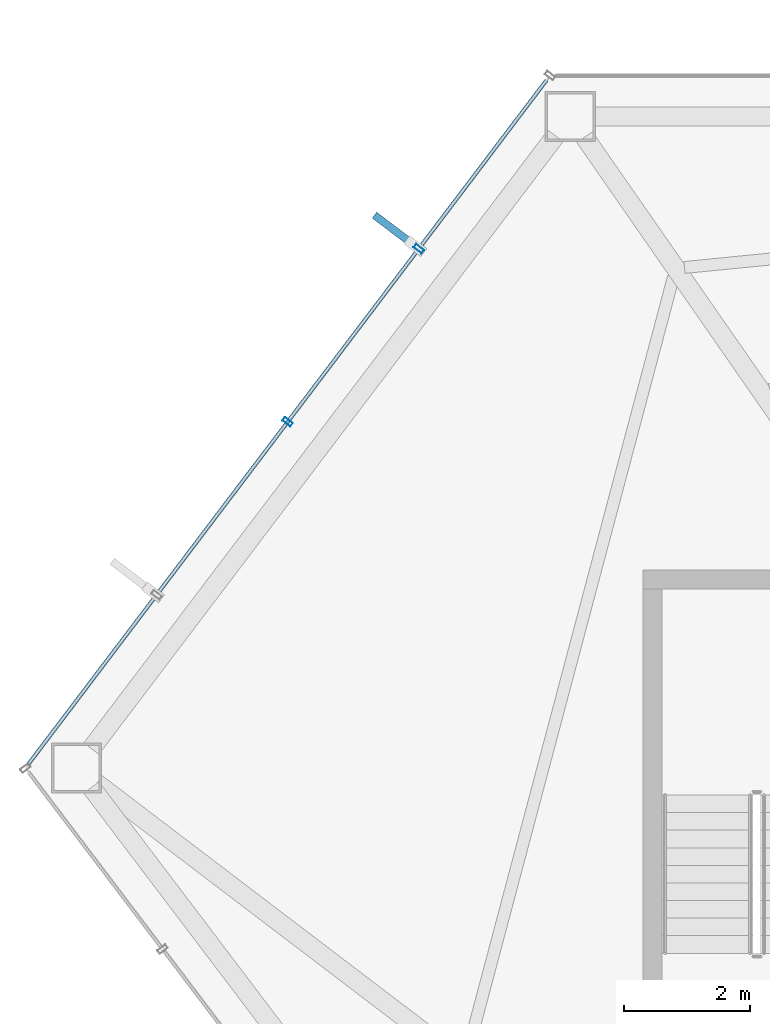
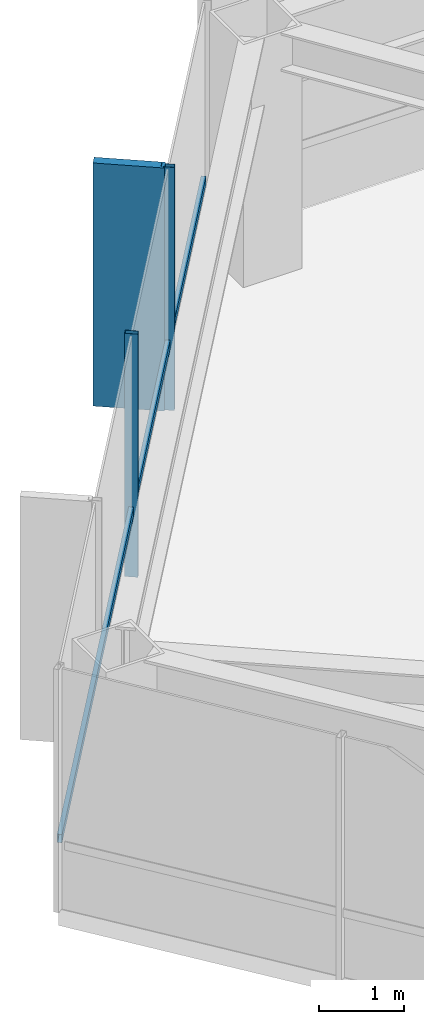
# One storey, part 11 of 28: 4 members, 1 element without a shape of its own.
"""IFC4 building model written with IfcOpenShell, lengths in metres."""

from ifc_helpers import new_model, si_unit, direction, frame, origin, origin_2d, place, context, subcontext, project, spatial, rectangle, hollow_rectangle, extrude, material, layer, layer_set, material_profile, profile_set, type_object, element, aggregate, save


model = new_model("IFC4")

# Units and contexts
model_context = context("Model", 3, precision=1e-05, world=origin(), true_north=direction((0.0, 1.0)))
body_context = subcontext(model_context, "Body", "Model", "MODEL_VIEW")
ifc_project = project(units=[si_unit("LENGTHUNIT", "METRE"), si_unit("AREAUNIT", "SQUARE_METRE"), si_unit("VOLUMEUNIT", "CUBIC_METRE"), si_unit("PLANEANGLEUNIT", "RADIAN"), si_unit("MASSUNIT", "GRAM", prefix="KILO")], contexts=[model_context])

# Site, building, storey
site_placement = place(None, origin())
site = spatial("IfcSite", under=ifc_project, at=site_placement, CompositionType="ELEMENT")
building_placement = place(site_placement, origin())
building = spatial("IfcBuilding", under=site, at=building_placement, Name="Zarrinselat Tower", CompositionType="ELEMENT")
storey_placement = place(building_placement, frame((0.0, 0.0, 157.080078125)))
storey = spatial("IfcBuildingStorey", under=building, at=storey_placement, Name="L38", CompositionType="ELEMENT", Elevation=157.080078125)

# Curtain wall, members
ifc_material_1 = material(Name="Extruded Aluminium Alloy EN AW-6063 T6", Category="aluminium")
ifc_layer = layer(ifc_material_1, 0.175048828125)
ifc_layer_set = layer_set([ifc_layer], Name="Extruded Aluminium Alloy EN AW-6063 T6")
curtain_wall_type = type_object("IfcCurtainWallType", Name="CWS-HTL", PredefinedType="NOTDEFINED", material=ifc_layer_set)
curtain_wall_placement = place(storey_placement, origin())
curtain_wall = element("IfcCurtainWall", 1, at=curtain_wall_placement, inside=storey, type_object=curtain_wall_type, Name="L38 Unitised Curtain Wall CW-L38-E02", PredefinedType="NOTDEFINED")
ifc_material_2 = material(Name="Extruded Aluminium Alloy EN AW-6063 T6", Category="aluminium")
ifc_material_profile_1 = material_profile(ifc_material_2, hollow_rectangle(XDim=0.070068359375, YDim=0.159912109375, WallThickness=0.00390625, at=origin_2d()), Name="RHS 160x70x4")
ifc_profile_set_1 = profile_set([ifc_material_profile_1], Name="Extruded Aluminium Alloy EN AW-6063 T6")
member_type_1 = type_object("IfcMemberType", Name="MEM-CW-MUL2", PredefinedType="MULLION", material=ifc_profile_set_1)
member_1_placement = place(storey_placement, frame((19.42138671875, 43.407470703125, 0.0), z_axis=(0.0, 0.0, 1.0), x_axis=(0.603857687995, 0.797092148154, 0.0)))
member_1 = element("IfcMember", 2, at=member_1_placement, type_object=member_type_1, Name="CW-L38-E02 Mullion 2", PredefinedType="MULLION", context=body_context, shape_type="SweptSolid", body=[
    extrude(hollow_rectangle(XDim=0.070068359375, YDim=0.159912109375, WallThickness=0.00390625, at=origin_2d()), origin(), (0.0, 0.0, 1.0), 3.5),
])
member_2_placement = place(storey_placement, frame((21.508056640625, 46.162109375, 0.0), z_axis=(0.0, 0.0, 1.0), x_axis=(0.603857687995, 0.797092148154, 0.0)))
member_2 = element("IfcMember", 3, at=member_2_placement, type_object=member_type_1, Name="CW-L38-E02 Mullion 3", PredefinedType="MULLION", context=body_context, shape_type="SweptSolid", body=[
    extrude(hollow_rectangle(XDim=0.070068359375, YDim=0.159912109375, WallThickness=0.00390625, at=origin_2d()), origin(), (0.0, 0.0, 1.0), 3.5),
])
ifc_material_3 = material(Name="Extruded Aluminium Alloy EN AW-6063 T6", Category="aluminium")
ifc_material_profile_2 = material_profile(ifc_material_3, hollow_rectangle(XDim=0.06005859375, YDim=0.1201171875, WallThickness=0.00390625, at=origin_2d()), Name="RHS 120x60x4")
ifc_profile_set_2 = profile_set([ifc_material_profile_2], Name="Extruded Aluminium Alloy EN AW-6063 T6")
member_type_2 = type_object("IfcMemberType", Name="MEM-CW-TRN2", PredefinedType="USERDEFINED", material=ifc_profile_set_2)
member_3_placement = place(storey_placement, frame((15.3017578125, 37.9697265625, 0.949951171875), z_axis=(0.603866645365, 0.797085362189, 0.0), x_axis=(-0.797085362189, 0.603866645365, 0.0)))
member_3 = element("IfcMember", 4, at=member_3_placement, type_object=member_type_2, Name="CW-L38-E02 Transom 1", ObjectType="TRANSOM", PredefinedType="USERDEFINED", context=body_context, shape_type="SweptSolid", body=[
    extrude(hollow_rectangle(XDim=0.06005859375, YDim=0.1201171875, WallThickness=0.00390625, at=origin_2d()), origin(), (0.0, 0.0, 1.0), 13.643798828125),
])
ifc_material_4 = material(Name="Honed Cream Travertine Stone", Category="masonry")
ifc_material_profile_3 = material_profile(ifc_material_4, rectangle(XDim=0.1201171875, YDim=0.85009765625, at=origin_2d()), Name="FIN 850x120")
ifc_profile_set_3 = profile_set([ifc_material_profile_3], Name="Honed Cream Travertine Stone")
member_type_3 = type_object("IfcMemberType", Name="MEM-STONE-FIN", PredefinedType="USERDEFINED", material=ifc_profile_set_3)
member_4_placement = place(storey_placement, frame((21.141357421875, 46.439697265625, 0.0), z_axis=(0.0, 0.0, 1.0), x_axis=(0.603857687995, 0.797092148154, 0.0)))
member_4 = element("IfcMember", 5, at=member_4_placement, type_object=member_type_3, Name="L38 Stone Shading Fin CW-L38-E02-03", ObjectType="FIN", PredefinedType="USERDEFINED", context=body_context, shape_type="SweptSolid", body=[
    extrude(rectangle(XDim=0.1201171875, YDim=0.85009765625, at=origin_2d()), origin(), (0.0, 0.0, 1.0), 3.5),
])
aggregate(curtain_wall, [member_1, member_2, member_4, member_3])

save(model, "model.ifc")
